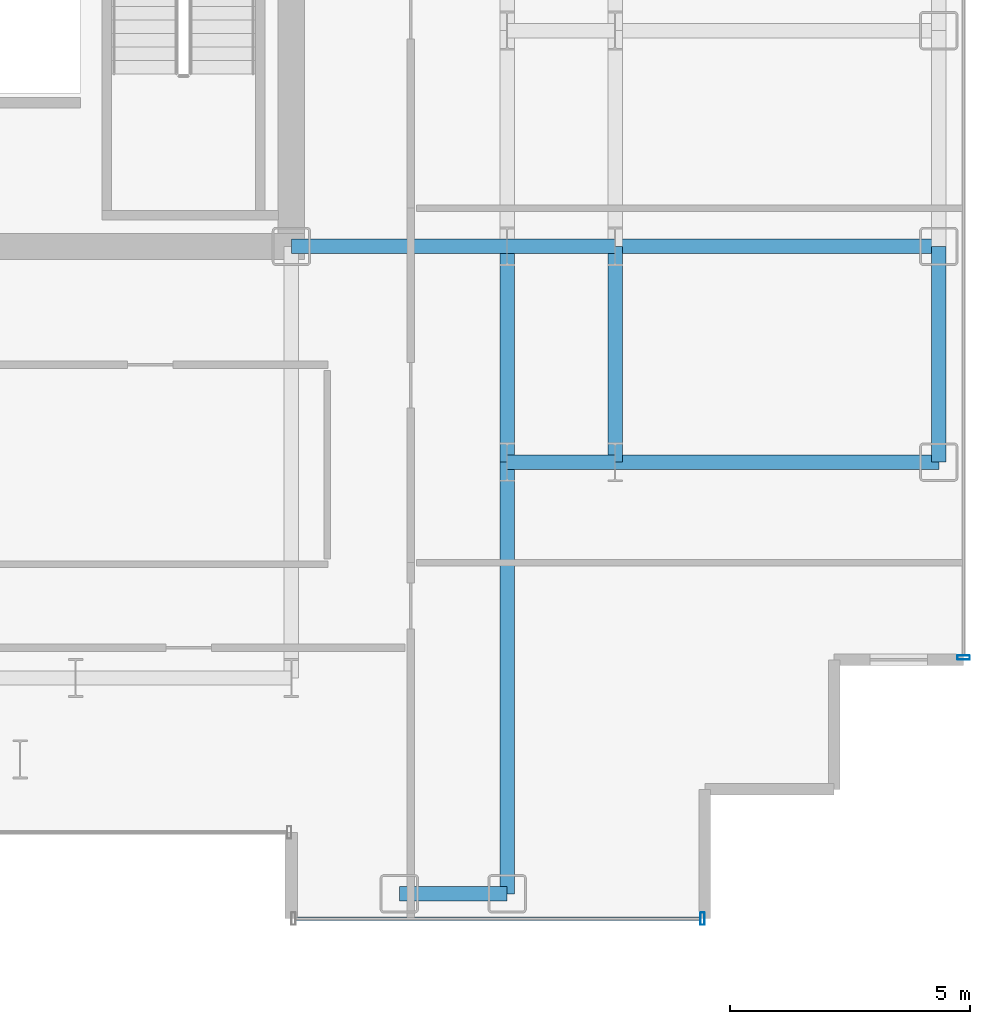
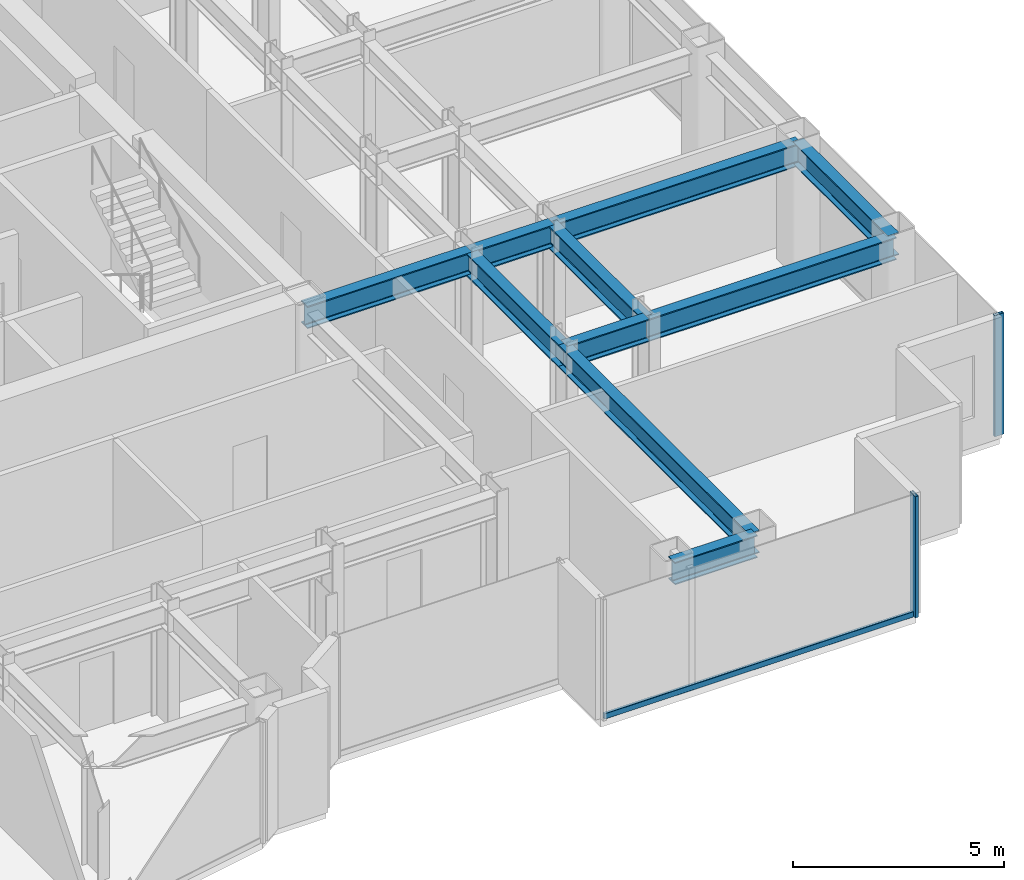
# One storey, part 8 of 23: 10 beams, 3 members, 2 elements without a shape of their own.
"""IFC4 building model written with IfcOpenShell, lengths in metres."""

from ifc_helpers import new_model, si_unit, direction, frame, origin, origin_2d, place, context, subcontext, project, spatial, hollow_rectangle, i_section, extrude, source, transform, mapped, material, layer, layer_set, material_profile, profile_set, type_object, element, aggregate, save


model = new_model("IFC4")

# Units and contexts
model_context = context("Model", 3, precision=1e-05, world=origin(), true_north=direction((0.0, 1.0)))
body_context = subcontext(model_context, "Body", "Model", "MODEL_VIEW")
ifc_project = project(units=[si_unit("LENGTHUNIT", "METRE"), si_unit("AREAUNIT", "SQUARE_METRE"), si_unit("VOLUMEUNIT", "CUBIC_METRE"), si_unit("PLANEANGLEUNIT", "RADIAN"), si_unit("MASSUNIT", "GRAM", prefix="KILO")], contexts=[model_context])

# Site, building, storey
site_placement = place(None, origin())
site = spatial("IfcSite", under=ifc_project, at=site_placement, CompositionType="ELEMENT")
building_placement = place(site_placement, origin())
building = spatial("IfcBuilding", under=site, at=building_placement, Name="Nefas-Gora Pilgrimage Tower", CompositionType="ELEMENT")
storey_placement = place(building_placement, frame((0.0, 0.0, 198.199951171875)))
storey = spatial("IfcBuildingStorey", under=building, at=storey_placement, Name="L49", CompositionType="ELEMENT", Elevation=198.199951171875)

# Beams
ifc_material_1 = material(Name="Steel S355", Category="steel")
ifc_material_profile_1 = material_profile(ifc_material_1, i_section(OverallWidth=0.300048828125, OverallDepth=0.64990234375, WebThickness=0.01611328125, FlangeThickness=0.031005859375, FilletRadius=0.027099609375, at=origin_2d()), Name="HEB 650")
ifc_profile_set_1 = profile_set([ifc_material_profile_1], Name="Steel S355")
beam_type_1 = type_object("IfcBeamType", Name="BM-SPN-HEB500", PredefinedType="SPANDREL", material=ifc_profile_set_1)
shared_shape_1 = source(origin(), body_context, "Body", "SweptSolid", [
    extrude(i_section(OverallWidth=0.300048828125, OverallDepth=0.64990234375, WebThickness=0.01611328125, FlangeThickness=0.031005859375, FilletRadius=0.027099609375, at=origin_2d()), origin(), (0.0, 0.0, 1.0), 4.5),
])
beam_1_placement = place(storey_placement, frame((24.75, -13.5, 3.175048828125), z_axis=(0.0, 1.0, 0.0), x_axis=(-1.0, 0.0, 0.0)))
element("IfcBeam", 1, at=beam_1_placement, inside=storey, type_object=beam_type_1, Name="L49 SP-02 beam", PredefinedType="SPANDREL", context=body_context, shape_type="MappedRepresentation", body=[
    mapped(shared_shape_1, transform((0.0, 0.0, 0.0), x_axis=(1.0, 0.0, 0.0), y_axis=(0.0, 1.0, 0.0), z_axis=(0.0, 0.0, 1.0), scale=1.0)),
])
ifc_material_profile_2 = material_profile(ifc_material_1, i_section(OverallWidth=0.300048828125, OverallDepth=0.64990234375, WebThickness=0.01611328125, FlangeThickness=0.031005859375, FilletRadius=0.027099609375, at=origin_2d()), Name="HEB 650")
ifc_profile_set_2 = profile_set([ifc_material_profile_2], Name="Steel S355")
beam_type_2 = type_object("IfcBeamType", Name="BM-GIR-HEB650", PredefinedType="BEAM", material=ifc_profile_set_2)
shared_shape_2 = source(origin(), body_context, "Body", "SweptSolid", [
    extrude(i_section(OverallWidth=0.300048828125, OverallDepth=0.64990234375, WebThickness=0.01611328125, FlangeThickness=0.031005859375, FilletRadius=0.027099609375, at=origin_2d()), origin(), (0.0, 0.0, 1.0), 9.0),
])
beam_2_placement = place(storey_placement, frame((15.75, -22.5, 3.175048828125), z_axis=(0.0, 1.0, 0.0), x_axis=(-1.0, 0.0, 0.0)))
element("IfcBeam", 2, at=beam_2_placement, inside=storey, type_object=beam_type_2, Name="L49 G-03 beam", PredefinedType="BEAM", context=body_context, shape_type="MappedRepresentation", body=[
    mapped(shared_shape_2, transform((0.0, 0.0, 0.0), x_axis=(1.0, 0.0, 0.0), y_axis=(0.0, 1.0, 0.0), z_axis=(0.0, 0.0, 1.0), scale=1.0)),
])
shared_shape_3 = source(origin(), body_context, "Body", "SweptSolid", [
    extrude(i_section(OverallWidth=0.300048828125, OverallDepth=0.64990234375, WebThickness=0.01611328125, FlangeThickness=0.031005859375, FilletRadius=0.027099609375, at=origin_2d()), origin(), (0.0, 0.0, 1.0), 4.5),
])
for number, where, z_axis, x_axis, name in (
    (3, (11.25, -9.0, 3.175048828125), (1.0, 0.0, 0.0), (0.0, 1.0, 0.0), "L49 G-03 beam"),
    (4, (15.75, -13.5, 3.175048828125), (0.0, 1.0, 0.0), (-1.0, 0.0, 0.0), "L49 G-03 beam"),
    (5, (18.0, -13.5, 3.175048828125), (0.0, 1.0, 0.0), (-1.0, 0.0, 0.0), "L49 G-03 beam"),
):
    element("IfcBeam", number, at=place(storey_placement, frame(where, z_axis=z_axis, x_axis=x_axis)), inside=storey, type_object=beam_type_2, Name=name, PredefinedType="BEAM", context=body_context, shape_type="MappedRepresentation", body=[
        mapped(shared_shape_3, transform((0.0, 0.0, 0.0), x_axis=(1.0, 0.0, 0.0), y_axis=(0.0, 1.0, 0.0), z_axis=(0.0, 0.0, 1.0), scale=1.0)),
    ])
shared_shape_4 = source(origin(), body_context, "Body", "SweptSolid", [
    extrude(i_section(OverallWidth=0.300048828125, OverallDepth=0.64990234375, WebThickness=0.01611328125, FlangeThickness=0.031005859375, FilletRadius=0.027099609375, at=origin_2d()), origin(), (0.0, 0.0, 1.0), 6.75),
])
for number, where, z_axis, x_axis, name in (
    (6, (18.0, -13.5, 3.175048828125), (1.0, 0.0, 0.0), (0.0, 1.0, 0.0), "L49 G-03 beam"),
    (7, (18.0, -9.0, 3.175048828125), (1.0, 0.0, 0.0), (0.0, 1.0, 0.0), "L49 G-03 beam"),
):
    element("IfcBeam", number, at=place(storey_placement, frame(where, z_axis=z_axis, x_axis=x_axis)), inside=storey, type_object=beam_type_2, Name=name, PredefinedType="BEAM", context=body_context, shape_type="MappedRepresentation", body=[
        mapped(shared_shape_4, transform((0.0, 0.0, 0.0), x_axis=(1.0, 0.0, 0.0), y_axis=(0.0, 1.0, 0.0), z_axis=(0.0, 0.0, 1.0), scale=1.0)),
    ])
shared_shape_5 = source(origin(), body_context, "Body", "SweptSolid", [
    extrude(i_section(OverallWidth=0.300048828125, OverallDepth=0.64990234375, WebThickness=0.01611328125, FlangeThickness=0.031005859375, FilletRadius=0.027099609375, at=origin_2d()), origin(), (0.0, 0.0, 1.0), 2.25),
])
beam_3_placement = place(storey_placement, frame((13.5, -22.5, 3.175048828125), z_axis=(1.0, 0.0, 0.0), x_axis=(0.0, 1.0, 0.0)))
element("IfcBeam", 8, at=beam_3_placement, inside=storey, type_object=beam_type_1, Name="L49 SP-02 beam", PredefinedType="SPANDREL", context=body_context, shape_type="MappedRepresentation", body=[
    mapped(shared_shape_5, transform((0.0, 0.0, 0.0), x_axis=(1.0, 0.0, 0.0), y_axis=(0.0, 1.0, 0.0), z_axis=(0.0, 0.0, 1.0), scale=1.0)),
])
shared_shape_6 = source(origin(), body_context, "Body", "SweptSolid", [
    extrude(i_section(OverallWidth=0.300048828125, OverallDepth=0.64990234375, WebThickness=0.01611328125, FlangeThickness=0.031005859375, FilletRadius=0.027099609375, at=origin_2d()), origin(), (0.0, 0.0, 1.0), 2.25),
])
for number, where, z_axis, x_axis, name in (
    (9, (15.75, -13.5, 3.175048828125), (1.0, 0.0, 0.0), (0.0, 1.0, 0.0), "L49 G-03 beam"),
    (10, (15.75, -9.0, 3.175048828125), (1.0, 0.0, 0.0), (0.0, 1.0, 0.0), "L49 G-03 beam"),
):
    element("IfcBeam", number, at=place(storey_placement, frame(where, z_axis=z_axis, x_axis=x_axis)), inside=storey, type_object=beam_type_2, Name=name, PredefinedType="BEAM", context=body_context, shape_type="MappedRepresentation", body=[
        mapped(shared_shape_6, transform((0.0, 0.0, 0.0), x_axis=(1.0, 0.0, 0.0), y_axis=(0.0, 1.0, 0.0), z_axis=(0.0, 0.0, 1.0), scale=1.0)),
    ])

# Curtain wall, members
ifc_material_2 = material(Name="Dark ceramic-fritted solar-control aluminium-glass curtain wall", Category="aluminium")
ifc_layer = layer(ifc_material_2, 0.219970703125)
ifc_layer_set = layer_set([ifc_layer], Name="Dark ceramic-fritted solar-control aluminium-glass curtain wall")
curtain_wall_type = type_object("IfcCurtainWallType", Name="CW-SYS-3", PredefinedType="NOTDEFINED", material=ifc_layer_set)
curtain_wall_1_placement = place(storey_placement, origin())
curtain_wall_1 = element("IfcCurtainWall", 11, at=curtain_wall_1_placement, inside=storey, type_object=curtain_wall_type, Name="L49 Unitised Curtain Wall CW3", PredefinedType="NOTDEFINED")
ifc_material_3 = material(Name="Anodised architectural aluminium", Category="aluminium")
ifc_material_profile_3 = material_profile(ifc_material_3, hollow_rectangle(XDim=0.080078125, YDim=0.159912109375, WallThickness=0.00439453125, InnerFilletRadius=0.00439453125, OuterFilletRadius=0.009033203125, at=origin_2d()), Name="ALU TRANSOM 80x160")
ifc_profile_set_3 = profile_set([ifc_material_profile_3], Name="Anodised architectural aluminium")
member_type_1 = type_object("IfcMemberType", Name="CWM-TRN-3", PredefinedType="USERDEFINED", material=ifc_profile_set_3)
shared_shape_7 = source(origin(), body_context, "Body", "SweptSolid", [
    extrude(hollow_rectangle(XDim=0.080078125, YDim=0.159912109375, WallThickness=0.00439453125, InnerFilletRadius=0.00439453125, OuterFilletRadius=0.009033203125, at=origin_2d()), origin(), (0.0, 0.0, 1.0), 8.43994140625),
])
member_1_placement = place(storey_placement, frame((11.340087890625, -23.02001953125, 0.050048828125), z_axis=(1.0, 0.0, 0.0), x_axis=(0.0, 1.0, 0.0)))
member_1 = element("IfcMember", 12, at=member_1_placement, type_object=member_type_1, Name="CW3 Spandrel Transom", ObjectType="TRANSOM", PredefinedType="USERDEFINED", context=body_context, shape_type="MappedRepresentation", body=[
    mapped(shared_shape_7, transform((0.0, 0.0, 0.0), x_axis=(1.0, 0.0, 0.0), y_axis=(0.0, 1.0, 0.0), z_axis=(0.0, 0.0, 1.0), scale=1.0)),
])
ifc_material_profile_4 = material_profile(ifc_material_3, hollow_rectangle(XDim=0.090087890625, YDim=0.260009765625, WallThickness=0.006103515625, InnerFilletRadius=0.006103515625, OuterFilletRadius=0.011962890625, at=origin_2d()), Name="ALU MULLION 90x260")
ifc_profile_set_4 = profile_set([ifc_material_profile_4], Name="Anodised architectural aluminium")
member_type_2 = type_object("IfcMemberType", Name="CWM-MUL-3", PredefinedType="MULLION", material=ifc_profile_set_4)
shared_shape_8 = source(origin(), body_context, "Body", "SweptSolid", [
    extrude(hollow_rectangle(XDim=0.090087890625, YDim=0.260009765625, WallThickness=0.006103515625, InnerFilletRadius=0.006103515625, OuterFilletRadius=0.011962890625, at=origin_2d()), origin(), (0.0, 0.0, 1.0), 3.5),
])
member_2_placement = place(storey_placement, frame((19.824951171875, -23.02001953125, 0.0), z_axis=(0.0, 0.0, 1.0), x_axis=(1.0, 0.0, 0.0)))
member_2 = element("IfcMember", 13, at=member_2_placement, type_object=member_type_2, Name="CW3 Mullion 2", PredefinedType="MULLION", context=body_context, shape_type="MappedRepresentation", body=[
    mapped(shared_shape_8, transform((0.0, 0.0, 0.0), x_axis=(1.0, 0.0, 0.0), y_axis=(0.0, 1.0, 0.0), z_axis=(0.0, 0.0, 1.0), scale=1.0)),
])
aggregate(curtain_wall_1, [member_2, member_1])

# Curtain wall, member
curtain_wall_2_placement = place(storey_placement, origin())
curtain_wall_2 = element("IfcCurtainWall", 14, at=curtain_wall_2_placement, inside=storey, type_object=curtain_wall_type, Name="L49 Unitised Curtain Wall CW3", PredefinedType="NOTDEFINED")
member_3_placement = place(storey_placement, frame((25.27001953125, -17.574951171875, 0.0), z_axis=(0.0, 0.0, 1.0), x_axis=(0.0, 1.0, 0.0)))
member_3 = element("IfcMember", 15, at=member_3_placement, type_object=member_type_2, Name="CW3 Mullion 1", PredefinedType="MULLION", context=body_context, shape_type="MappedRepresentation", body=[
    mapped(shared_shape_8, transform((0.0, 0.0, 0.0), x_axis=(1.0, 0.0, 0.0), y_axis=(0.0, 1.0, 0.0), z_axis=(0.0, 0.0, 1.0), scale=1.0)),
])
aggregate(curtain_wall_2, [member_3])

save(model, "model.ifc")
